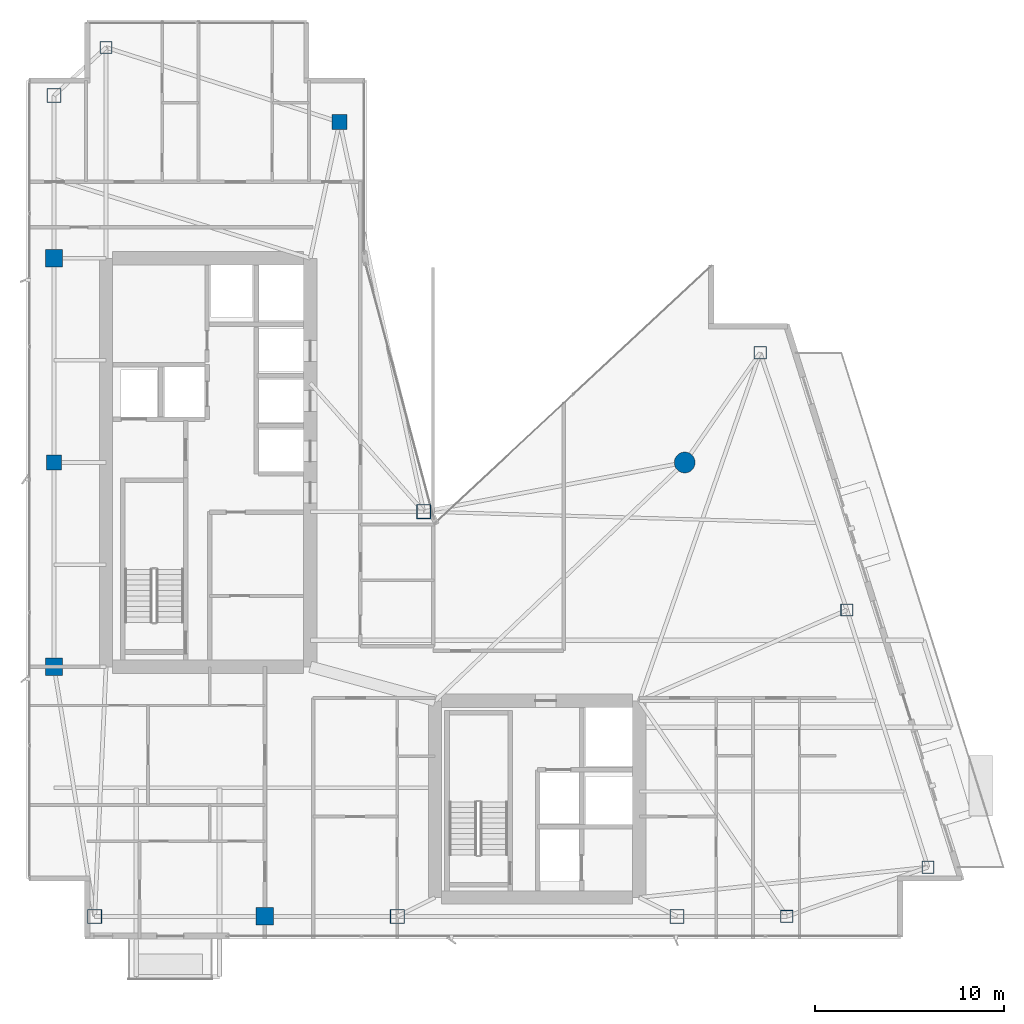
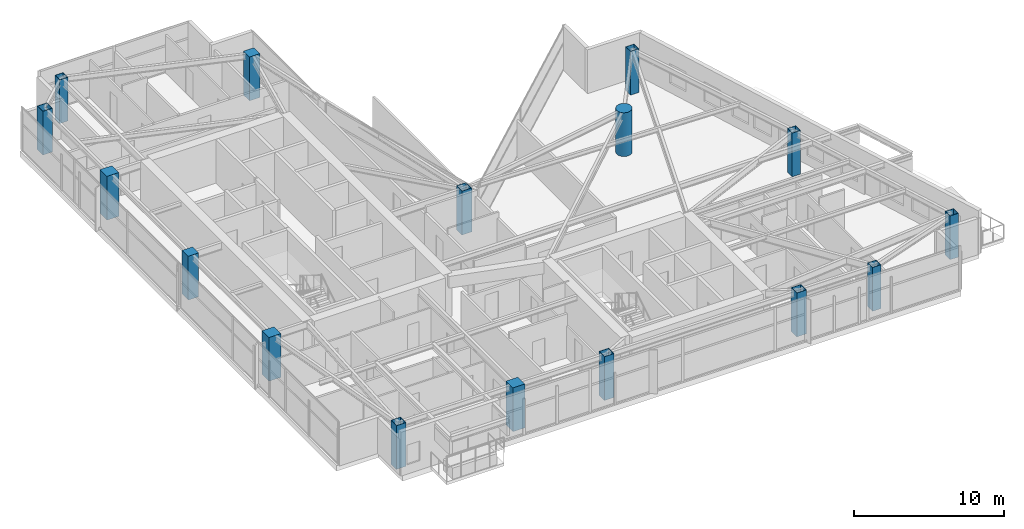
# One storey, part 1 of 28: 16 columns.
"""IFC4 building model written with IfcOpenShell, lengths in metres."""

from ifc_helpers import new_model, si_unit, direction, frame, origin, origin_2d, place, context, subcontext, project, spatial, rectangle, hollow_rectangle, circle, extrude, material, material_profile, profile_set, type_object, element, save


model = new_model("IFC4")

# Units and contexts
model_context = context("Model", 3, precision=1e-05, world=origin(), true_north=direction((0.0, 1.0)))
body_context = subcontext(model_context, "Body", "Model", "MODEL_VIEW")
ifc_project = project(units=[si_unit("LENGTHUNIT", "METRE"), si_unit("AREAUNIT", "SQUARE_METRE"), si_unit("VOLUMEUNIT", "CUBIC_METRE"), si_unit("PLANEANGLEUNIT", "RADIAN"), si_unit("MASSUNIT", "GRAM", prefix="KILO")], contexts=[model_context])

# Site, building, storey
site_placement = place(None, origin())
site = spatial("IfcSite", under=ifc_project, at=site_placement, CompositionType="ELEMENT")
building_placement = place(site_placement, origin())
building = spatial("IfcBuilding", under=site, at=building_placement, Name="Calvorn Quay Hotel", CompositionType="ELEMENT")
storey_placement = place(building_placement, frame((0.0, 0.0, 219.300048828125)))
storey = spatial("IfcBuildingStorey", under=building, at=storey_placement, Name="L54", CompositionType="ELEMENT", Elevation=219.300048828125)

# Columns
ifc_material_1 = material(Name="Concrete C45", Category="concrete")
ifc_material_profile_1 = material_profile(ifc_material_1, rectangle(XDim=0.800048828125, YDim=0.800048828125, at=origin_2d()), Name="RC800x800")
ifc_profile_set_1 = profile_set([ifc_material_profile_1], Name="Concrete C45")
column_type_1 = type_object("IfcColumnType", Name="COL-RC-800", PredefinedType="COLUMN", material=ifc_profile_set_1)
for number, where, z_axis, x_axis, name in (
    (1, (1.449951171875, 27.60009765625, 0.0), (0.0, 0.0, 1.0), (1.0, 0.0, 0.0), "Column C-W3 (L54)"),
    (2, (16.550048828125, 45.60009765625, 0.0), (0.0, 0.0, 1.0), (1.0, 0.0, 0.0), "Column C-IC1 (L54)"),
):
    element("IfcColumn", number, at=place(storey_placement, frame(where, z_axis=z_axis, x_axis=x_axis)), inside=storey, type_object=column_type_1, Name=name, PredefinedType="COLUMN", context=body_context, shape_type="SweptSolid", body=[
        extrude(rectangle(XDim=0.800048828125, YDim=0.800048828125, at=origin_2d()), origin(), (0.0, 0.0, 1.0), 3.56005859375),
    ])
ifc_material_2 = material(Name="Concrete C45", Category="concrete")
ifc_material_profile_2 = material_profile(ifc_material_2, rectangle(XDim=0.919921875, YDim=0.919921875, at=origin_2d()), Name="RC920x920")
ifc_profile_set_2 = profile_set([ifc_material_profile_2], Name="Concrete C45")
column_type_2 = type_object("IfcColumnType", Name="COL-RC-920", PredefinedType="COLUMN", material=ifc_profile_set_2)
for number, where, z_axis, x_axis, name in (
    (3, (1.449951171875, 16.800048828125, 0.0), (0.0, 0.0, 1.0), (1.0, 0.0, 0.0), "Column C-W2 (L54)"),
    (4, (1.449951171875, 38.39990234375, 0.0), (0.0, 0.0, 1.0), (1.0, 0.0, 0.0), "Column C-W4 (L54)"),
    (5, (12.60009765625, 3.60009765625, 0.0), (0.0, 0.0, 1.0), (1.0, 0.0, 0.0), "Column C-S1 (L54)"),
):
    element("IfcColumn", number, at=place(storey_placement, frame(where, z_axis=z_axis, x_axis=x_axis)), inside=storey, type_object=column_type_2, Name=name, PredefinedType="COLUMN", context=body_context, shape_type="SweptSolid", body=[
        extrude(rectangle(XDim=0.919921875, YDim=0.919921875, at=origin_2d()), origin(), (0.0, 0.0, 1.0), 3.56005859375),
    ])
ifc_material_3 = material(Name="Concrete C50", Category="concrete")
ifc_material_profile_3 = material_profile(ifc_material_3, circle(Radius=0.550048828125, at=origin_2d()), Name="RCD1100")
ifc_profile_set_3 = profile_set([ifc_material_profile_3], Name="Concrete C50")
column_type_3 = type_object("IfcColumnType", Name="COL-RC-D1100", PredefinedType="COLUMN", material=ifc_profile_set_3)
column_placement = place(storey_placement, frame((34.800048828125, 27.60009765625, 0.0), z_axis=(0.0, 0.0, 1.0), x_axis=(1.0, 0.0, 0.0)))
element("IfcColumn", 6, at=column_placement, inside=storey, type_object=column_type_3, Name="Column C-NC1 (L54)", PredefinedType="COLUMN", context=body_context, shape_type="SweptSolid", body=[
    extrude(circle(Radius=0.550048828125, at=origin_2d()), origin(), (0.0, 0.0, 1.0), 3.56005859375),
])
ifc_material_4 = material(Name="Steel Q390GJC", Category="steel")
ifc_material_profile_4 = material_profile(ifc_material_4, hollow_rectangle(XDim=0.75, YDim=0.75, WallThickness=0.031982421875, at=origin_2d()), Name="BOX750x750x32")
ifc_profile_set_4 = profile_set([ifc_material_profile_4], Name="Steel Q390GJC")
column_type_4 = type_object("IfcColumnType", Name="COL-STL-Z3", PredefinedType="COLUMN", material=ifc_profile_set_4)
for number, where, z_axis, x_axis, name in (
    (7, (3.60009765625, 3.60009765625, 0.0), (0.0, 0.0, 1.0), (1.0, 0.0, 0.0), "Column C-W1 (L54)"),
    (8, (1.449951171875, 47.0, 0.0), (0.0, 0.0, 1.0), (1.0, 0.0, 0.0), "Column C-W5 (L54)"),
    (9, (21.0, 25.0, 0.0), (0.0, 0.0, 1.0), (1.0, 0.0, 0.0), "Column C-IC2 (L54)"),
    (10, (19.60009765625, 3.60009765625, 0.0), (0.0, 0.0, 1.0), (1.0, 0.0, 0.0), "Column C-S2 (L54)"),
    (11, (34.39990234375, 3.60009765625, 0.0), (0.0, 0.0, 1.0), (1.0, 0.0, 0.0), "Column C-S3 (L54)"),
):
    element("IfcColumn", number, at=place(storey_placement, frame(where, z_axis=z_axis, x_axis=x_axis)), inside=storey, type_object=column_type_4, Name=name, PredefinedType="COLUMN", context=body_context, shape_type="SweptSolid", body=[
        extrude(hollow_rectangle(XDim=0.75, YDim=0.75, WallThickness=0.031982421875, at=origin_2d()), origin(), (0.0, 0.0, 1.0), 3.56005859375),
    ])
ifc_material_5 = material(Name="Steel Q355B", Category="steel")
ifc_material_profile_5 = material_profile(ifc_material_5, hollow_rectangle(XDim=0.64990234375, YDim=0.64990234375, WallThickness=0.028076171875, at=origin_2d()), Name="BOX650x650x28")
ifc_profile_set_5 = profile_set([ifc_material_profile_5], Name="Steel Q355B")
column_type_5 = type_object("IfcColumnType", Name="COL-STL-Z4", PredefinedType="COLUMN", material=ifc_profile_set_5)
for number, where, z_axis, x_axis, name in (
    (12, (4.199951171875, 49.550048828125, 0.0), (0.0, 0.0, 1.0), (1.0, 0.0, 0.0), "Column C-NW1 (L54)"),
    (13, (40.199951171875, 3.60009765625, 0.0), (0.0, 0.0, 1.0), (1.0, 0.0, 0.0), "Column C-S4 (L54)"),
    (14, (47.660888671875, 6.199951171875, 0.0), (0.0, 0.0, 1.0), (1.0, 0.0, 0.0), "Column C-ET1 (L54)"),
    (15, (43.3759765625, 19.800048828125, 0.0), (0.0, 0.0, 1.0), (1.0, 0.0, 0.0), "Column C-ET2 (L54)"),
    (16, (38.791015625, 33.39990234375, 0.0), (0.0, 0.0, 1.0), (1.0, 0.0, 0.0), "Column C-ET3 (L54)"),
):
    element("IfcColumn", number, at=place(storey_placement, frame(where, z_axis=z_axis, x_axis=x_axis)), inside=storey, type_object=column_type_5, Name=name, PredefinedType="COLUMN", context=body_context, shape_type="SweptSolid", body=[
        extrude(hollow_rectangle(XDim=0.64990234375, YDim=0.64990234375, WallThickness=0.028076171875, at=origin_2d()), origin(), (0.0, 0.0, 1.0), 3.56005859375),
    ])

save(model, "model.ifc")
